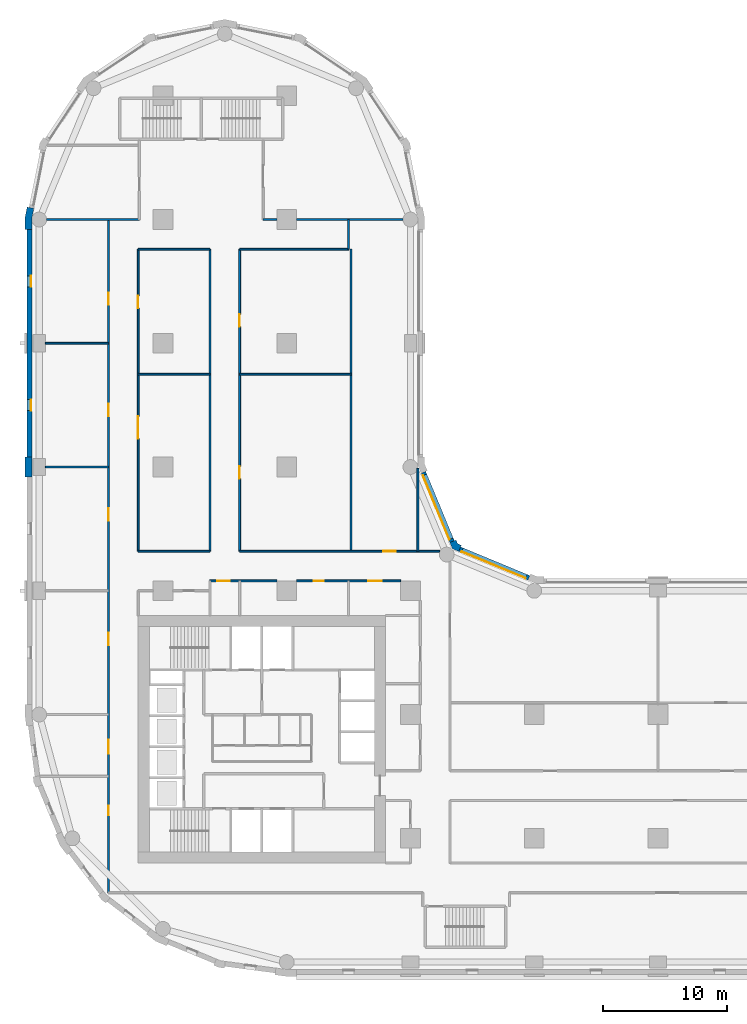
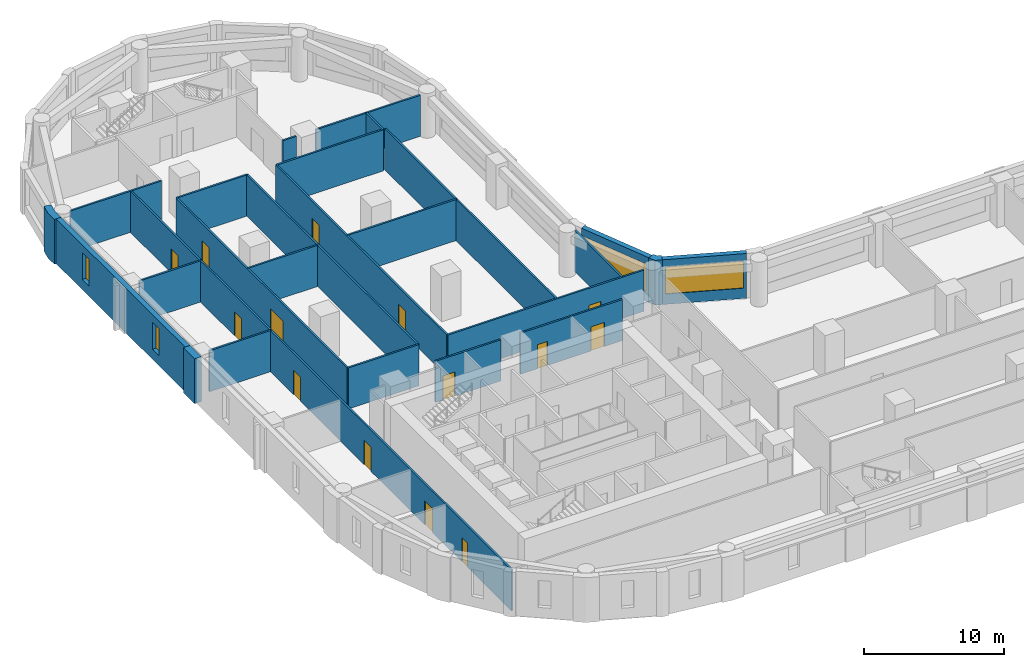
# One storey, part 5 of 10: 26 walls, 14 doors, 4 windows, 18 openings.
"""IFC4 building model written with IfcOpenShell, lengths in metres."""

from ifc_helpers import new_model, si_unit, direction, frame, frame_2d, origin, place, context, subcontext, project, spatial, polyline, rectangle, outline, extrude, material, layer, layer_set, type_object, element, fill, save


model = new_model("IFC4")

# Units and contexts
model_context = context("Model", 3, precision=1e-05, world=origin(), true_north=direction((0.0, 1.0)))
body_context = subcontext(model_context, "Body", "Model", "MODEL_VIEW")
ifc_project = project(units=[si_unit("LENGTHUNIT", "METRE"), si_unit("AREAUNIT", "SQUARE_METRE"), si_unit("VOLUMEUNIT", "CUBIC_METRE"), si_unit("PLANEANGLEUNIT", "RADIAN"), si_unit("MASSUNIT", "GRAM", prefix="KILO")], contexts=[model_context])

# Site, building, storey
site_placement = place(None, origin())
site = spatial("IfcSite", under=ifc_project, at=site_placement, CompositionType="ELEMENT")
building_placement = place(site_placement, origin())
building = spatial("IfcBuilding", under=site, at=building_placement, Name="Qaws Garden Tower", CompositionType="ELEMENT")
storey_placement = place(building_placement, frame((0.0, 0.0, 19.800048828125)))
storey = spatial("IfcBuildingStorey", under=building, at=storey_placement, Name="L04", CompositionType="ELEMENT", Elevation=19.800048828125)

# Wall, opening, window
ifc_material_1 = material(Name="Clay facing brick masonry", Category="masonry")
ifc_layer_1 = layer(ifc_material_1, 0.39990234375)
ifc_layer_set_1 = layer_set([ifc_layer_1], Name="Clay facing brick masonry")
wall_type_1 = type_object("IfcWallType", Name="Brick infill wall 400", PredefinedType="SOLIDWALL", material=ifc_layer_set_1)
wall_1_placement = place(storey_placement, frame((39.56689453125, 31.04541015625, 0.0), z_axis=(0.0, 0.0, 1.0), x_axis=(-0.923891000409, 0.382655745237, 0.0)))
wall_1 = element("IfcWall", 1, at=wall_1_placement, inside=storey, type_object=wall_type_1, Name="E-L04-infill-11", PredefinedType="SOLIDWALL", context=body_context, shape_type="SweptSolid", body=[
    extrude(rectangle(XDim=6.053466796875, YDim=0.39990234375, at=frame_2d((3.02685546875, 0.0))), origin(), (0.0, 0.0, 1.0), 3.89990234375),
])
opening_1_placement = place(wall_1_placement, frame((0.226806640625, 0.0, 0.89990234375)))
opening_1 = element("IfcOpeningElement", 2, at=opening_1_placement, cuts=wall_1, Name="Opening W04", PredefinedType="OPENING", context=body_context, shape_type="SweptSolid", body=[
    extrude(rectangle(XDim=5.60009765625, YDim=2.35009765625, at=frame_2d((2.800048828125, 1.175048828125))), frame((0.0, 0.2099609375, 0.0), z_axis=(0.0, -1.0, 0.0), x_axis=(1.0, 0.0, 0.0)), (0.0, 0.0, 1.0), 0.419921875),
])
ifc_material_2 = material(Name="Aluminium framed window, clear glazing", Category="aluminium")
window_type_1 = type_object("IfcWindowType", Name="Ribbon window 5600 x 2350", PartitioningType="DOUBLE_PANEL_VERTICAL", PredefinedType="WINDOW", material=ifc_material_2)
window_1_placement = place(opening_1_placement, origin())
window_1 = element("IfcWindow", 3, at=window_1_placement, inside=storey, type_object=window_type_1, Name="E-L04-window-11-0", OverallHeight=2.35009765625, OverallWidth=5.60009765625, PartitioningType="SINGLE_PANEL", PredefinedType="WINDOW", context=body_context, shape_type="SweptSolid", body=[
    extrude(rectangle(XDim=5.60009765625, YDim=2.35009765625, at=frame_2d((2.800048828125, 1.175048828125))), frame((0.0, 0.159912109375, 0.0), z_axis=(0.0, -1.0, 0.0), x_axis=(1.0, 0.0, 0.0)), (0.0, 0.0, 1.0), 0.06005859375),
])
fill(opening_1, window_1)

wall_2_placement = place(storey_placement, frame((33.36181640625, 33.97412109375, 0.0), z_axis=(0.0, 0.0, 1.0), x_axis=(-0.382655745237, 0.923891000409, 0.0)))
wall_2 = element("IfcWall", 4, at=wall_2_placement, inside=storey, type_object=wall_type_1, Name="E-L04-infill-12", PredefinedType="SOLIDWALL", context=body_context, shape_type="SweptSolid", body=[
    extrude(rectangle(XDim=6.053466796875, YDim=0.39990234375, at=frame_2d((3.02685546875, 0.0))), origin(), (0.0, 0.0, 1.0), 3.89990234375),
])
opening_2_placement = place(wall_2_placement, frame((0.226806640625, 0.0, 0.89990234375)))
opening_2 = element("IfcOpeningElement", 5, at=opening_2_placement, cuts=wall_2, Name="Opening W04", PredefinedType="OPENING", context=body_context, shape_type="SweptSolid", body=[
    extrude(rectangle(XDim=5.60009765625, YDim=2.35009765625, at=frame_2d((2.800048828125, 1.175048828125))), frame((0.0, 0.2099609375, 0.0), z_axis=(0.0, -1.0, 0.0), x_axis=(1.0, 0.0, 0.0)), (0.0, 0.0, 1.0), 0.419921875),
])
window_2_placement = place(opening_2_placement, origin())
window_2 = element("IfcWindow", 6, at=window_2_placement, inside=storey, type_object=window_type_1, Name="E-L04-window-12-0", OverallHeight=2.35009765625, OverallWidth=5.60009765625, PartitioningType="SINGLE_PANEL", PredefinedType="WINDOW", context=body_context, shape_type="SweptSolid", body=[
    extrude(rectangle(XDim=5.60009765625, YDim=2.35009765625, at=frame_2d((2.800048828125, 1.175048828125))), frame((0.0, 0.159912109375, 0.0), z_axis=(0.0, -1.0, 0.0), x_axis=(1.0, 0.0, 0.0)), (0.0, 0.0, 1.0), 0.06005859375),
])
fill(opening_2, window_2)

# Wall, openings, windows
wall_3_placement = place(storey_placement, frame((-0.800048828125, 59.199951171875, 0.0), z_axis=(0.0, 0.0, 1.0), x_axis=(0.0, -1.0, 0.0)))
wall_3 = element("IfcWall", 7, at=wall_3_placement, inside=storey, type_object=wall_type_1, Name="E-L04-infill-23", PredefinedType="SOLIDWALL", context=body_context, shape_type="SweptSolid", body=[
    extrude(rectangle(XDim=18.39990234375, YDim=0.39990234375, at=frame_2d((9.199951171875, 0.0))), origin(), (0.0, 0.0, 1.0), 3.89990234375),
])
opening_3_placement = place(wall_3_placement, frame((3.75, 0.0, 0.89990234375)))
opening_3 = element("IfcOpeningElement", 8, at=opening_3_placement, cuts=wall_3, Name="Opening W09", PredefinedType="OPENING", context=body_context, shape_type="SweptSolid", body=[
    extrude(rectangle(XDim=0.89990234375, YDim=2.35009765625, at=frame_2d((0.449951171875, 1.175048828125))), frame((0.0, 0.2099609375, 0.0), z_axis=(0.0, -1.0, 0.0), x_axis=(1.0, 0.0, 0.0)), (0.0, 0.0, 1.0), 0.419921875),
])
opening_4_placement = place(wall_3_placement, frame((13.75, 0.0, 0.89990234375)))
opening_4 = element("IfcOpeningElement", 9, at=opening_4_placement, cuts=wall_3, Name="Opening W09", PredefinedType="OPENING", context=body_context, shape_type="SweptSolid", body=[
    extrude(rectangle(XDim=0.89990234375, YDim=2.35009765625, at=frame_2d((0.449951171875, 1.175048828125))), frame((0.0, 0.2099609375, 0.0), z_axis=(0.0, -1.0, 0.0), x_axis=(1.0, 0.0, 0.0)), (0.0, 0.0, 1.0), 0.419921875),
])
ifc_material_3 = material(Name="Aluminium framed window, clear glazing", Category="aluminium")
window_type_2 = type_object("IfcWindowType", Name="Slit window 900 x 2350", PartitioningType="SINGLE_PANEL", PredefinedType="WINDOW", material=ifc_material_3)
window_3_placement = place(opening_3_placement, origin())
window_3 = element("IfcWindow", 10, at=window_3_placement, inside=storey, type_object=window_type_2, Name="E-L04-window-23-0", OverallHeight=2.35009765625, OverallWidth=0.89990234375, PartitioningType="SINGLE_PANEL", PredefinedType="WINDOW", context=body_context, shape_type="SweptSolid", body=[
    extrude(rectangle(XDim=0.89990234375, YDim=2.35009765625, at=frame_2d((0.449951171875, 1.175048828125))), frame((0.0, 0.159912109375, 0.0), z_axis=(0.0, -1.0, 0.0), x_axis=(1.0, 0.0, 0.0)), (0.0, 0.0, 1.0), 0.06005859375),
])
fill(opening_3, window_3)
window_4_placement = place(opening_4_placement, origin())
window_4 = element("IfcWindow", 11, at=window_4_placement, inside=storey, type_object=window_type_2, Name="E-L04-window-24-0", OverallHeight=2.35009765625, OverallWidth=0.89990234375, PartitioningType="SINGLE_PANEL", PredefinedType="WINDOW", context=body_context, shape_type="SweptSolid", body=[
    extrude(rectangle(XDim=0.89990234375, YDim=2.35009765625, at=frame_2d((0.449951171875, 1.175048828125))), frame((0.0, 0.159912109375, 0.0), z_axis=(0.0, -1.0, 0.0), x_axis=(1.0, 0.0, 0.0)), (0.0, 0.0, 1.0), 0.06005859375),
])
fill(opening_4, window_4)

# Walls
ifc_material_4 = material(Name="Clay facing brick masonry", Category="masonry")
ifc_layer_2 = layer(ifc_material_4, 0.550048828125)
ifc_layer_set_2 = layer_set([ifc_layer_2], Name="Clay facing brick masonry")
wall_type_2 = type_object("IfcWallType", Name="Brick pier 550 x 1600", PredefinedType="SOLIDWALL", material=ifc_layer_set_2)
placement = place(storey_placement, origin())
element("IfcWall", 12, at=placement, inside=storey, type_object=wall_type_2, Name="E-L04-pier-12", PredefinedType="SOLIDWALL", context=body_context, shape_type="SweptSolid", body=[
    extrude(outline(polyline([(34.05078125, 33.546630859375), (34.108154296875, 33.685302734375), (33.80908203125, 33.80908203125), (33.685302734375, 34.108154296875), (33.546630859375, 34.05078125), (33.177001953125, 33.897705078125), (33.38818359375, 33.38818359375), (33.897705078125, 33.177001953125), (34.05078125, 33.546630859375)])), origin(), (0.0, 0.0, 1.0), 3.89990234375),
])
element("IfcWall", 13, at=placement, inside=storey, type_object=wall_type_2, Name="E-L04-pier-23", PredefinedType="SOLIDWALL", context=body_context, shape_type="SweptSolid", body=[
    extrude(outline(polyline([(-0.82470703125, 60.979736328125), (-0.971923828125, 61.009033203125), (-1.14990234375, 60.11328125), (-1.14990234375, 59.199951171875), (-1.0, 59.199951171875), (-0.60009765625, 59.199951171875), (-0.60009765625, 60.05908203125), (-0.432373046875, 60.901611328125), (-0.82470703125, 60.979736328125)])), origin(), (0.0, 0.0, 1.0), 3.89990234375),
])
element("IfcWall", 14, at=placement, inside=storey, type_object=wall_type_2, Name="E-L04-pier-25", PredefinedType="SOLIDWALL", context=body_context, shape_type="SweptSolid", body=[
    extrude(outline(polyline([(-1.0, 40.800048828125), (-1.14990234375, 40.800048828125), (-1.14990234375, 40.0), (-1.14990234375, 39.199951171875), (-1.0, 39.199951171875), (-0.60009765625, 39.199951171875), (-0.60009765625, 40.0), (-0.60009765625, 40.800048828125), (-1.0, 40.800048828125)])), origin(), (0.0, 0.0, 1.0), 3.89990234375),
])

# Wall, openings, doors
ifc_material_5 = material(Name="Gypsum board partition")
ifc_layer_3 = layer(ifc_material_5, 0.14990234375)
ifc_layer_set_3 = layer_set([ifc_layer_3], Name="Gypsum board partition")
wall_type_3 = type_object("IfcWallType", Name="PARTITION 150 EI 60", PredefinedType="PARTITIONING", material=ifc_layer_set_3)
wall_7_placement = place(storey_placement, frame((5.60009765625, 5.60009765625, 0.0), z_axis=(0.0, 0.0, 1.0), x_axis=(0.0, 1.0, 0.0)))
wall_7 = element("IfcWall", 15, at=wall_7_placement, inside=storey, type_object=wall_type_3, Name="O-L04-wall-002", PredefinedType="PARTITIONING", context=body_context, shape_type="SweptSolid", body=[
    extrude(rectangle(XDim=54.39990234375, YDim=0.14990234375, at=frame_2d((27.199951171875, 0.0))), origin(), (0.0, 0.0, 1.0), 3.579833984375),
])
opening_5_placement = place(wall_7_placement, frame((6.25, 0.0, 0.0)))
opening_5 = element("IfcOpeningElement", 16, at=opening_5_placement, cuts=wall_7, Name="Opening A101", PredefinedType="OPENING", context=body_context, shape_type="SweptSolid", body=[
    extrude(rectangle(XDim=0.800048828125, YDim=2.10009765625, at=frame_2d((0.39990234375, 1.050048828125))), frame((0.0, 0.0849609375, 0.0), z_axis=(0.0, -1.0, 0.0), x_axis=(1.0, 0.0, 0.0)), (0.0, 0.0, 1.0), 0.169921875),
])
opening_6_placement = place(wall_7_placement, frame((11.25, 0.0, 0.0)))
opening_6 = element("IfcOpeningElement", 17, at=opening_6_placement, cuts=wall_7, Name="Opening A102", PredefinedType="OPENING", context=body_context, shape_type="SweptSolid", body=[
    extrude(rectangle(XDim=1.10009765625, YDim=2.10009765625, at=frame_2d((0.550048828125, 1.050048828125))), frame((0.0, 0.0849609375, 0.0), z_axis=(0.0, -1.0, 0.0), x_axis=(1.0, 0.0, 0.0)), (0.0, 0.0, 1.0), 0.169921875),
])
opening_7_placement = place(wall_7_placement, frame((20.0, 0.0, 0.0)))
opening_7 = element("IfcOpeningElement", 18, at=opening_7_placement, cuts=wall_7, Name="Opening A112", PredefinedType="OPENING", context=body_context, shape_type="SweptSolid", body=[
    extrude(rectangle(XDim=1.0, YDim=2.10009765625, at=frame_2d((0.5, 1.050048828125))), frame((0.0, 0.0849609375, 0.0), z_axis=(0.0, -1.0, 0.0), x_axis=(1.0, 0.0, 0.0)), (0.0, 0.0, 1.0), 0.169921875),
])
opening_8_placement = place(wall_7_placement, frame((30.050048828125, 0.0, 0.0)))
opening_8 = element("IfcOpeningElement", 19, at=opening_8_placement, cuts=wall_7, Name="Opening A119", PredefinedType="OPENING", context=body_context, shape_type="SweptSolid", body=[
    extrude(rectangle(XDim=1.0, YDim=2.10009765625, at=frame_2d((0.5, 1.050048828125))), frame((0.0, 0.0849609375, 0.0), z_axis=(0.0, -1.0, 0.0), x_axis=(1.0, 0.0, 0.0)), (0.0, 0.0, 1.0), 0.169921875),
])
opening_9_placement = place(wall_7_placement, frame((38.5, 0.0, 0.0)))
opening_9 = element("IfcOpeningElement", 20, at=opening_9_placement, cuts=wall_7, Name="Opening A120", PredefinedType="OPENING", context=body_context, shape_type="SweptSolid", body=[
    extrude(rectangle(XDim=1.0, YDim=2.10009765625, at=frame_2d((0.5, 1.050048828125))), frame((0.0, 0.0849609375, 0.0), z_axis=(0.0, -1.0, 0.0), x_axis=(1.0, 0.0, 0.0)), (0.0, 0.0, 1.0), 0.169921875),
])
opening_10_placement = place(wall_7_placement, frame((47.5, 0.0, 0.0)))
opening_10 = element("IfcOpeningElement", 21, at=opening_10_placement, cuts=wall_7, Name="Opening A121", PredefinedType="OPENING", context=body_context, shape_type="SweptSolid", body=[
    extrude(rectangle(XDim=1.0, YDim=2.10009765625, at=frame_2d((0.5, 1.050048828125))), frame((0.0, 0.0849609375, 0.0), z_axis=(0.0, -1.0, 0.0), x_axis=(1.0, 0.0, 0.0)), (0.0, 0.0, 1.0), 0.169921875),
])
ifc_material_6 = material(Name="Timber door leaf", Category="wood")
door_type_1 = type_object("IfcDoorType", Name="SERVICE ROOM DOOR 1100 X 2100", OperationType="SINGLE_SWING_LEFT", PredefinedType="DOOR", material=ifc_material_6)
door_1_placement = place(opening_6_placement, origin())
door_1 = element("IfcDoor", 22, at=door_1_placement, inside=storey, type_object=door_type_1, Name="O-L04-door-002", OperationType="SINGLE_SWING_RIGHT", OverallHeight=2.10009765625, OverallWidth=1.10009765625, PredefinedType="DOOR", context=body_context, shape_type="SweptSolid", body=[
    extrude(rectangle(XDim=1.10009765625, YDim=2.10009765625, at=frame_2d((0.550048828125, 1.050048828125))), frame((0.0, 0.02490234375, 0.0), z_axis=(0.0, -1.0, 0.0), x_axis=(1.0, 0.0, 0.0)), (0.0, 0.0, 1.0), 0.050048828125),
])
fill(opening_6, door_1)
ifc_material_7 = material(Name="Timber door leaf", Category="wood")
door_type_2 = type_object("IfcDoorType", Name="STORE DOOR 800 X 2100", OperationType="SINGLE_SWING_LEFT", PredefinedType="DOOR", material=ifc_material_7)
door_2_placement = place(opening_5_placement, origin())
door_2 = element("IfcDoor", 23, at=door_2_placement, inside=storey, type_object=door_type_2, Name="O-L04-door-001", OperationType="SINGLE_SWING_RIGHT", OverallHeight=2.10009765625, OverallWidth=0.800048828125, PredefinedType="DOOR", context=body_context, shape_type="SweptSolid", body=[
    extrude(rectangle(XDim=0.800048828125, YDim=2.10009765625, at=frame_2d((0.39990234375, 1.050048828125))), frame((0.0, 0.02490234375, 0.0), z_axis=(0.0, -1.0, 0.0), x_axis=(1.0, 0.0, 0.0)), (0.0, 0.0, 1.0), 0.050048828125),
])
fill(opening_5, door_2)
ifc_material_8 = material(Name="Timber door leaf", Category="wood")
door_type_3 = type_object("IfcDoorType", Name="TENANCY ENTRANCE DOOR 1000 X 2100", OperationType="SINGLE_SWING_LEFT", PredefinedType="DOOR", material=ifc_material_8)
door_3_placement = place(opening_7_placement, origin())
door_3 = element("IfcDoor", 24, at=door_3_placement, inside=storey, type_object=door_type_3, Name="O-L04-door-012", OperationType="SINGLE_SWING_RIGHT", OverallHeight=2.10009765625, OverallWidth=1.0, PredefinedType="DOOR", context=body_context, shape_type="SweptSolid", body=[
    extrude(rectangle(XDim=1.0, YDim=2.10009765625, at=frame_2d((0.5, 1.050048828125))), frame((0.0, 0.02490234375, 0.0), z_axis=(0.0, -1.0, 0.0), x_axis=(1.0, 0.0, 0.0)), (0.0, 0.0, 1.0), 0.050048828125),
])
fill(opening_7, door_3)
door_4_placement = place(opening_8_placement, origin())
door_4 = element("IfcDoor", 25, at=door_4_placement, inside=storey, type_object=door_type_3, Name="O-L04-door-019", OperationType="SINGLE_SWING_LEFT", OverallHeight=2.10009765625, OverallWidth=1.0, PredefinedType="DOOR", context=body_context, shape_type="SweptSolid", body=[
    extrude(rectangle(XDim=1.0, YDim=2.10009765625, at=frame_2d((0.5, 1.050048828125))), frame((0.0, 0.02490234375, 0.0), z_axis=(0.0, -1.0, 0.0), x_axis=(1.0, 0.0, 0.0)), (0.0, 0.0, 1.0), 0.050048828125),
])
fill(opening_8, door_4)
door_5_placement = place(opening_9_placement, origin())
door_5 = element("IfcDoor", 26, at=door_5_placement, inside=storey, type_object=door_type_3, Name="O-L04-door-020", OperationType="SINGLE_SWING_LEFT", OverallHeight=2.10009765625, OverallWidth=1.0, PredefinedType="DOOR", context=body_context, shape_type="SweptSolid", body=[
    extrude(rectangle(XDim=1.0, YDim=2.10009765625, at=frame_2d((0.5, 1.050048828125))), frame((0.0, 0.02490234375, 0.0), z_axis=(0.0, -1.0, 0.0), x_axis=(1.0, 0.0, 0.0)), (0.0, 0.0, 1.0), 0.050048828125),
])
fill(opening_9, door_5)
door_6_placement = place(opening_10_placement, origin())
door_6 = element("IfcDoor", 27, at=door_6_placement, inside=storey, type_object=door_type_3, Name="O-L04-door-021", OperationType="SINGLE_SWING_LEFT", OverallHeight=2.10009765625, OverallWidth=1.0, PredefinedType="DOOR", context=body_context, shape_type="SweptSolid", body=[
    extrude(rectangle(XDim=1.0, YDim=2.10009765625, at=frame_2d((0.5, 1.050048828125))), frame((0.0, 0.02490234375, 0.0), z_axis=(0.0, -1.0, 0.0), x_axis=(1.0, 0.0, 0.0)), (0.0, 0.0, 1.0), 0.050048828125),
])
fill(opening_10, door_6)

wall_8_placement = place(storey_placement, frame((8.0, 33.199951171875, 0.0), z_axis=(0.0, 0.0, 1.0), x_axis=(0.0, 1.0, 0.0)))
wall_8 = element("IfcWall", 28, at=wall_8_placement, inside=storey, type_object=wall_type_3, Name="O-L04-wall-004", PredefinedType="PARTITIONING", context=body_context, shape_type="SweptSolid", body=[
    extrude(rectangle(XDim=24.400146484375, YDim=0.14990234375, at=frame_2d((12.2001953125, 0.0))), origin(), (0.0, 0.0, 1.0), 3.579833984375),
])
opening_11_placement = place(wall_8_placement, frame((9.10009765625, 0.0, 0.0)))
opening_11 = element("IfcOpeningElement", 29, at=opening_11_placement, cuts=wall_8, Name="Opening A110", PredefinedType="OPENING", context=body_context, shape_type="SweptSolid", body=[
    extrude(rectangle(XDim=1.800048828125, YDim=2.10009765625, at=frame_2d((0.89990234375, 1.050048828125))), frame((0.0, 0.0849609375, 0.0), z_axis=(0.0, -1.0, 0.0), x_axis=(1.0, 0.0, 0.0)), (0.0, 0.0, 1.0), 0.169921875),
])
opening_12_placement = place(wall_8_placement, frame((19.64990234375, 0.0, 0.0)))
opening_12 = element("IfcOpeningElement", 30, at=opening_12_placement, cuts=wall_8, Name="Opening A111", PredefinedType="OPENING", context=body_context, shape_type="SweptSolid", body=[
    extrude(rectangle(XDim=1.0, YDim=2.10009765625, at=frame_2d((0.5, 1.050048828125))), frame((0.0, 0.0849609375, 0.0), z_axis=(0.0, -1.0, 0.0), x_axis=(1.0, 0.0, 0.0)), (0.0, 0.0, 1.0), 0.169921875),
])
ifc_material_9 = material(Name="Timber door leaf", Category="wood")
door_type_4 = type_object("IfcDoorType", Name="DOUBLE DOOR 1800 X 2100", OperationType="DOUBLE_DOOR_SINGLE_SWING", PredefinedType="DOOR", material=ifc_material_9)
door_7_placement = place(opening_11_placement, frame((1.800048828125, 0.0, 0.0), z_axis=(0.0, 0.0, 1.0), x_axis=(-1.0, 0.0, 0.0)))
door_7 = element("IfcDoor", 31, at=door_7_placement, inside=storey, type_object=door_type_4, Name="O-L04-door-010", OperationType="DOUBLE_DOOR_SINGLE_SWING", OverallHeight=2.10009765625, OverallWidth=1.800048828125, PredefinedType="DOOR", context=body_context, shape_type="SweptSolid", body=[
    extrude(rectangle(XDim=1.800048828125, YDim=2.10009765625, at=frame_2d((0.89990234375, 1.050048828125))), frame((0.0, 0.02490234375, 0.0), z_axis=(0.0, -1.0, 0.0), x_axis=(1.0, 0.0, 0.0)), (0.0, 0.0, 1.0), 0.050048828125),
])
fill(opening_11, door_7)
door_8_placement = place(opening_12_placement, frame((1.0, 0.0, 0.0), z_axis=(0.0, 0.0, 1.0), x_axis=(-1.0, 0.0, 0.0)))
door_8 = element("IfcDoor", 32, at=door_8_placement, inside=storey, type_object=door_type_3, Name="O-L04-door-011", OperationType="SINGLE_SWING_RIGHT", OverallHeight=2.10009765625, OverallWidth=1.0, PredefinedType="DOOR", context=body_context, shape_type="SweptSolid", body=[
    extrude(rectangle(XDim=1.0, YDim=2.10009765625, at=frame_2d((0.5, 1.050048828125))), frame((0.0, 0.02490234375, 0.0), z_axis=(0.0, -1.0, 0.0), x_axis=(1.0, 0.0, 0.0)), (0.0, 0.0, 1.0), 0.050048828125),
])
fill(opening_12, door_8)

# Wall
wall_9_placement = place(storey_placement, frame((13.800048828125, 33.199951171875, 0.0), z_axis=(0.0, 0.0, 1.0), x_axis=(0.0, 1.0, 0.0)))
element("IfcWall", 33, at=wall_9_placement, inside=storey, type_object=wall_type_3, Name="O-L04-wall-007", PredefinedType="PARTITIONING", context=body_context, shape_type="SweptSolid", body=[
    extrude(rectangle(XDim=24.400146484375, YDim=0.14990234375, at=frame_2d((12.2001953125, 0.0))), origin(), (0.0, 0.0, 1.0), 3.579833984375),
])

# Wall, openings, doors
wall_10_placement = place(storey_placement, frame((16.199951171875, 33.199951171875, 0.0), z_axis=(0.0, 0.0, 1.0), x_axis=(0.0, 1.0, 0.0)))
wall_10 = element("IfcWall", 34, at=wall_10_placement, inside=storey, type_object=wall_type_3, Name="O-L04-wall-009", PredefinedType="PARTITIONING", context=body_context, shape_type="SweptSolid", body=[
    extrude(rectangle(XDim=24.400146484375, YDim=0.14990234375, at=frame_2d((12.2001953125, 0.0))), origin(), (0.0, 0.0, 1.0), 3.579833984375),
])
opening_13_placement = place(wall_10_placement, frame((5.85009765625, 0.0, 0.0)))
opening_13 = element("IfcOpeningElement", 35, at=opening_13_placement, cuts=wall_10, Name="Opening A113", PredefinedType="OPENING", context=body_context, shape_type="SweptSolid", body=[
    extrude(rectangle(XDim=1.0, YDim=2.10009765625, at=frame_2d((0.5, 1.050048828125))), frame((0.0, 0.0849609375, 0.0), z_axis=(0.0, -1.0, 0.0), x_axis=(1.0, 0.0, 0.0)), (0.0, 0.0, 1.0), 0.169921875),
])
opening_14_placement = place(wall_10_placement, frame((18.14990234375, 0.0, 0.0)))
opening_14 = element("IfcOpeningElement", 36, at=opening_14_placement, cuts=wall_10, Name="Opening A114", PredefinedType="OPENING", context=body_context, shape_type="SweptSolid", body=[
    extrude(rectangle(XDim=1.0, YDim=2.10009765625, at=frame_2d((0.5, 1.050048828125))), frame((0.0, 0.0849609375, 0.0), z_axis=(0.0, -1.0, 0.0), x_axis=(1.0, 0.0, 0.0)), (0.0, 0.0, 1.0), 0.169921875),
])
door_9_placement = place(opening_13_placement, frame((1.0, 0.0, 0.0), z_axis=(0.0, 0.0, 1.0), x_axis=(-1.0, 0.0, 0.0)))
door_9 = element("IfcDoor", 37, at=door_9_placement, inside=storey, type_object=door_type_3, Name="O-L04-door-013", OperationType="SINGLE_SWING_RIGHT", OverallHeight=2.10009765625, OverallWidth=1.0, PredefinedType="DOOR", context=body_context, shape_type="SweptSolid", body=[
    extrude(rectangle(XDim=1.0, YDim=2.10009765625, at=frame_2d((0.5, 1.050048828125))), frame((0.0, 0.02490234375, 0.0), z_axis=(0.0, -1.0, 0.0), x_axis=(1.0, 0.0, 0.0)), (0.0, 0.0, 1.0), 0.050048828125),
])
fill(opening_13, door_9)
door_10_placement = place(opening_14_placement, frame((1.0, 0.0, 0.0), z_axis=(0.0, 0.0, 1.0), x_axis=(-1.0, 0.0, 0.0)))
door_10 = element("IfcDoor", 38, at=door_10_placement, inside=storey, type_object=door_type_3, Name="O-L04-door-014", OperationType="SINGLE_SWING_RIGHT", OverallHeight=2.10009765625, OverallWidth=1.0, PredefinedType="DOOR", context=body_context, shape_type="SweptSolid", body=[
    extrude(rectangle(XDim=1.0, YDim=2.10009765625, at=frame_2d((0.5, 1.050048828125))), frame((0.0, 0.02490234375, 0.0), z_axis=(0.0, -1.0, 0.0), x_axis=(1.0, 0.0, 0.0)), (0.0, 0.0, 1.0), 0.050048828125),
])
fill(opening_14, door_10)

# Walls
wall_11_placement = place(storey_placement, frame((25.0, 57.60009765625, 0.0), z_axis=(0.0, 0.0, 1.0), x_axis=(0.0, 1.0, 0.0)))
element("IfcWall", 39, at=wall_11_placement, inside=storey, type_object=wall_type_3, Name="O-L04-wall-012", PredefinedType="PARTITIONING", context=body_context, shape_type="SweptSolid", body=[
    extrude(rectangle(XDim=2.39990234375, YDim=0.14990234375, at=frame_2d((1.199951171875, 0.0))), origin(), (0.0, 0.0, 1.0), 3.579833984375),
])
wall_12_placement = place(storey_placement, frame((25.199951171875, 33.199951171875, 0.0), z_axis=(0.0, 0.0, 1.0), x_axis=(0.0, 1.0, 0.0)))
element("IfcWall", 40, at=wall_12_placement, inside=storey, type_object=wall_type_3, Name="O-L04-wall-013", PredefinedType="PARTITIONING", context=body_context, shape_type="SweptSolid", body=[
    extrude(rectangle(XDim=24.400146484375, YDim=0.14990234375, at=frame_2d((12.2001953125, 0.0))), origin(), (0.0, 0.0, 1.0), 3.579833984375),
])
wall_13_placement = place(storey_placement, frame((30.60009765625, 33.199951171875, 0.0), z_axis=(0.0, 0.0, 1.0), x_axis=(0.0, 1.0, 0.0)))
element("IfcWall", 41, at=wall_13_placement, inside=storey, type_object=wall_type_3, Name="O-L04-wall-016", PredefinedType="PARTITIONING", context=body_context, shape_type="SweptSolid", body=[
    extrude(rectangle(XDim=6.698974609375, YDim=0.14990234375, at=frame_2d((3.349609375, 0.0))), origin(), (0.0, 0.0, 1.0), 3.579833984375),
])

# Wall, opening, door
wall_14_placement = place(storey_placement, frame((13.800048828125, 30.800048828125, 0.0), z_axis=(0.0, 0.0, 1.0), x_axis=(1.0, 0.0, 0.0)))
wall_14 = element("IfcWall", 42, at=wall_14_placement, inside=storey, type_object=wall_type_3, Name="O-L04-wall-045", PredefinedType="PARTITIONING", context=body_context, shape_type="SweptSolid", body=[
    extrude(rectangle(XDim=5.39990234375, YDim=0.14990234375, at=frame_2d((2.699951171875, 0.0))), origin(), (0.0, 0.0, 1.0), 3.579833984375),
])
opening_15_placement = place(wall_14_placement, frame((0.60009765625, 0.0, 0.0)))
opening_15 = element("IfcOpeningElement", 43, at=opening_15_placement, cuts=wall_14, Name="Opening A118", PredefinedType="OPENING", context=body_context, shape_type="SweptSolid", body=[
    extrude(rectangle(XDim=1.0, YDim=2.10009765625, at=frame_2d((0.5, 1.050048828125))), frame((0.0, 0.0849609375, 0.0), z_axis=(0.0, -1.0, 0.0), x_axis=(1.0, 0.0, 0.0)), (0.0, 0.0, 1.0), 0.169921875),
])
door_11_placement = place(opening_15_placement, frame((1.0, 0.0, 0.0), z_axis=(0.0, 0.0, 1.0), x_axis=(-1.0, 0.0, 0.0)))
door_11 = element("IfcDoor", 44, at=door_11_placement, inside=storey, type_object=door_type_3, Name="O-L04-door-018", OperationType="SINGLE_SWING_RIGHT", OverallHeight=2.10009765625, OverallWidth=1.0, PredefinedType="DOOR", context=body_context, shape_type="SweptSolid", body=[
    extrude(rectangle(XDim=1.0, YDim=2.10009765625, at=frame_2d((0.5, 1.050048828125))), frame((0.0, 0.02490234375, 0.0), z_axis=(0.0, -1.0, 0.0), x_axis=(1.0, 0.0, 0.0)), (0.0, 0.0, 1.0), 0.050048828125),
])
fill(opening_15, door_11)

# Wall, openings, doors
wall_15_placement = place(storey_placement, frame((20.800048828125, 30.800048828125, 0.0), z_axis=(0.0, 0.0, 1.0), x_axis=(1.0, 0.0, 0.0)))
wall_15 = element("IfcWall", 45, at=wall_15_placement, inside=storey, type_object=wall_type_3, Name="O-L04-wall-046", PredefinedType="PARTITIONING", context=body_context, shape_type="SweptSolid", body=[
    extrude(rectangle(XDim=8.39990234375, YDim=0.14990234375, at=frame_2d((4.199951171875, 0.0))), origin(), (0.0, 0.0, 1.0), 3.579833984375),
])
opening_16_placement = place(wall_15_placement, frame((1.39990234375, 0.0, 0.0)))
opening_16 = element("IfcOpeningElement", 46, at=opening_16_placement, cuts=wall_15, Name="Opening A108", PredefinedType="OPENING", context=body_context, shape_type="SweptSolid", body=[
    extrude(rectangle(XDim=0.800048828125, YDim=2.10009765625, at=frame_2d((0.39990234375, 1.050048828125))), frame((0.0, 0.0849609375, 0.0), z_axis=(0.0, -1.0, 0.0), x_axis=(1.0, 0.0, 0.0)), (0.0, 0.0, 1.0), 0.169921875),
])
opening_17_placement = place(wall_15_placement, frame((5.800048828125, 0.0, 0.0)))
opening_17 = element("IfcOpeningElement", 47, at=opening_17_placement, cuts=wall_15, Name="Opening A109", PredefinedType="OPENING", context=body_context, shape_type="SweptSolid", body=[
    extrude(rectangle(XDim=1.10009765625, YDim=2.10009765625, at=frame_2d((0.550048828125, 1.050048828125))), frame((0.0, 0.0849609375, 0.0), z_axis=(0.0, -1.0, 0.0), x_axis=(1.0, 0.0, 0.0)), (0.0, 0.0, 1.0), 0.169921875),
])
door_12_placement = place(opening_17_placement, frame((1.10009765625, 0.0, 0.0), z_axis=(0.0, 0.0, 1.0), x_axis=(-1.0, 0.0, 0.0)))
door_12 = element("IfcDoor", 48, at=door_12_placement, inside=storey, type_object=door_type_1, Name="O-L04-door-009", OperationType="SINGLE_SWING_LEFT", OverallHeight=2.10009765625, OverallWidth=1.10009765625, PredefinedType="DOOR", context=body_context, shape_type="SweptSolid", body=[
    extrude(rectangle(XDim=1.10009765625, YDim=2.10009765625, at=frame_2d((0.550048828125, 1.050048828125))), frame((0.0, 0.02490234375, 0.0), z_axis=(0.0, -1.0, 0.0), x_axis=(1.0, 0.0, 0.0)), (0.0, 0.0, 1.0), 0.050048828125),
])
fill(opening_17, door_12)
door_13_placement = place(opening_16_placement, frame((0.800048828125, 0.0, 0.0), z_axis=(0.0, 0.0, 1.0), x_axis=(-1.0, 0.0, 0.0)))
door_13 = element("IfcDoor", 49, at=door_13_placement, inside=storey, type_object=door_type_2, Name="O-L04-door-008", OperationType="SINGLE_SWING_RIGHT", OverallHeight=2.10009765625, OverallWidth=0.800048828125, PredefinedType="DOOR", context=body_context, shape_type="SweptSolid", body=[
    extrude(rectangle(XDim=0.800048828125, YDim=2.10009765625, at=frame_2d((0.39990234375, 1.050048828125))), frame((0.0, 0.02490234375, 0.0), z_axis=(0.0, -1.0, 0.0), x_axis=(1.0, 0.0, 0.0)), (0.0, 0.0, 1.0), 0.050048828125),
])
fill(opening_16, door_13)

# Wall
wall_16_placement = place(storey_placement, frame((8.0, 33.199951171875, 0.0), z_axis=(0.0, 0.0, 1.0), x_axis=(1.0, 0.0, 0.0)))
element("IfcWall", 50, at=wall_16_placement, inside=storey, type_object=wall_type_3, Name="O-L04-wall-047", PredefinedType="PARTITIONING", context=body_context, shape_type="SweptSolid", body=[
    extrude(rectangle(XDim=5.800048828125, YDim=0.14990234375, at=frame_2d((2.89990234375, 0.0))), origin(), (0.0, 0.0, 1.0), 3.579833984375),
])

# Wall, opening, door
wall_17_placement = place(storey_placement, frame((16.199951171875, 33.199951171875, 0.0), z_axis=(0.0, 0.0, 1.0), x_axis=(1.0, 0.0, 0.0)))
wall_17 = element("IfcWall", 51, at=wall_17_placement, inside=storey, type_object=wall_type_3, Name="O-L04-wall-048", PredefinedType="PARTITIONING", context=body_context, shape_type="SweptSolid", body=[
    extrude(rectangle(XDim=16.162109375, YDim=0.14990234375, at=frame_2d((8.0810546875, 0.0))), origin(), (0.0, 0.0, 1.0), 3.579833984375),
])
opening_18_placement = place(wall_17_placement, frame((11.60009765625, 0.0, 0.0)))
opening_18 = element("IfcOpeningElement", 52, at=opening_18_placement, cuts=wall_17, Name="Opening A115", PredefinedType="OPENING", context=body_context, shape_type="SweptSolid", body=[
    extrude(rectangle(XDim=1.0, YDim=2.10009765625, at=frame_2d((0.5, 1.050048828125))), frame((0.0, 0.0849609375, 0.0), z_axis=(0.0, -1.0, 0.0), x_axis=(1.0, 0.0, 0.0)), (0.0, 0.0, 1.0), 0.169921875),
])
door_14_placement = place(opening_18_placement, origin())
door_14 = element("IfcDoor", 53, at=door_14_placement, inside=storey, type_object=door_type_3, Name="O-L04-door-015", OperationType="SINGLE_SWING_RIGHT", OverallHeight=2.10009765625, OverallWidth=1.0, PredefinedType="DOOR", context=body_context, shape_type="SweptSolid", body=[
    extrude(rectangle(XDim=1.0, YDim=2.10009765625, at=frame_2d((0.5, 1.050048828125))), frame((0.0, 0.02490234375, 0.0), z_axis=(0.0, -1.0, 0.0), x_axis=(1.0, 0.0, 0.0)), (0.0, 0.0, 1.0), 0.050048828125),
])
fill(opening_18, door_14)

# Walls
wall_18_placement = place(storey_placement, frame((0.5, 40.0, 0.0), z_axis=(0.0, 0.0, 1.0), x_axis=(1.0, 0.0, 0.0)))
element("IfcWall", 54, at=wall_18_placement, inside=storey, type_object=wall_type_3, Name="O-L04-wall-049", PredefinedType="PARTITIONING", context=body_context, shape_type="SweptSolid", body=[
    extrude(rectangle(XDim=5.10009765625, YDim=0.14990234375, at=frame_2d((2.550048828125, 0.0))), origin(), (0.0, 0.0, 1.0), 3.579833984375),
])
wall_19_placement = place(storey_placement, frame((8.0, 47.5, 0.0), z_axis=(0.0, 0.0, 1.0), x_axis=(1.0, 0.0, 0.0)))
element("IfcWall", 55, at=wall_19_placement, inside=storey, type_object=wall_type_3, Name="O-L04-wall-050", PredefinedType="PARTITIONING", context=body_context, shape_type="SweptSolid", body=[
    extrude(rectangle(XDim=5.800048828125, YDim=0.14990234375, at=frame_2d((2.89990234375, 0.0))), origin(), (0.0, 0.0, 1.0), 3.579833984375),
])
wall_20_placement = place(storey_placement, frame((16.199951171875, 47.5, 0.0), z_axis=(0.0, 0.0, 1.0), x_axis=(1.0, 0.0, 0.0)))
element("IfcWall", 56, at=wall_20_placement, inside=storey, type_object=wall_type_3, Name="O-L04-wall-051", PredefinedType="PARTITIONING", context=body_context, shape_type="SweptSolid", body=[
    extrude(rectangle(XDim=9.0, YDim=0.14990234375, at=frame_2d((4.5, 0.0))), origin(), (0.0, 0.0, 1.0), 3.579833984375),
])
wall_21_placement = place(storey_placement, frame((0.5, 50.0, 0.0), z_axis=(0.0, 0.0, 1.0), x_axis=(1.0, 0.0, 0.0)))
element("IfcWall", 57, at=wall_21_placement, inside=storey, type_object=wall_type_3, Name="O-L04-wall-052", PredefinedType="PARTITIONING", context=body_context, shape_type="SweptSolid", body=[
    extrude(rectangle(XDim=5.10009765625, YDim=0.14990234375, at=frame_2d((2.550048828125, 0.0))), origin(), (0.0, 0.0, 1.0), 3.579833984375),
])
wall_22_placement = place(storey_placement, frame((8.0, 57.60009765625, 0.0), z_axis=(0.0, 0.0, 1.0), x_axis=(1.0, 0.0, 0.0)))
element("IfcWall", 58, at=wall_22_placement, inside=storey, type_object=wall_type_3, Name="O-L04-wall-053", PredefinedType="PARTITIONING", context=body_context, shape_type="SweptSolid", body=[
    extrude(rectangle(XDim=5.800048828125, YDim=0.14990234375, at=frame_2d((2.89990234375, 0.0))), origin(), (0.0, 0.0, 1.0), 3.579833984375),
])
wall_23_placement = place(storey_placement, frame((16.199951171875, 57.60009765625, 0.0), z_axis=(0.0, 0.0, 1.0), x_axis=(1.0, 0.0, 0.0)))
element("IfcWall", 59, at=wall_23_placement, inside=storey, type_object=wall_type_3, Name="O-L04-wall-054", PredefinedType="PARTITIONING", context=body_context, shape_type="SweptSolid", body=[
    extrude(rectangle(XDim=8.800048828125, YDim=0.14990234375, at=frame_2d((4.39990234375, 0.0))), origin(), (0.0, 0.0, 1.0), 3.579833984375),
])
wall_24_placement = place(storey_placement, frame((0.60009765625, 60.0, 0.0), z_axis=(0.0, 0.0, 1.0), x_axis=(1.0, 0.0, 0.0)))
element("IfcWall", 60, at=wall_24_placement, inside=storey, type_object=wall_type_3, Name="O-L04-wall-055", PredefinedType="PARTITIONING", context=body_context, shape_type="SweptSolid", body=[
    extrude(rectangle(XDim=7.5, YDim=0.14990234375, at=frame_2d((3.75, 0.0))), origin(), (0.0, 0.0, 1.0), 3.579833984375),
])
wall_25_placement = place(storey_placement, frame((18.10009765625, 60.0, 0.0), z_axis=(0.0, 0.0, 1.0), x_axis=(1.0, 0.0, 0.0)))
element("IfcWall", 61, at=wall_25_placement, inside=storey, type_object=wall_type_3, Name="O-L04-wall-056", PredefinedType="PARTITIONING", context=body_context, shape_type="SweptSolid", body=[
    extrude(rectangle(XDim=1.099853515625, YDim=0.14990234375, at=frame_2d((0.5498046875, 0.0))), origin(), (0.0, 0.0, 1.0), 3.579833984375),
])
wall_26_placement = place(storey_placement, frame((20.800048828125, 60.0, 0.0), z_axis=(0.0, 0.0, 1.0), x_axis=(1.0, 0.0, 0.0)))
element("IfcWall", 62, at=wall_26_placement, inside=storey, type_object=wall_type_3, Name="O-L04-wall-057", PredefinedType="PARTITIONING", context=body_context, shape_type="SweptSolid", body=[
    extrude(rectangle(XDim=8.599853515625, YDim=0.14990234375, at=frame_2d((4.2998046875, 0.0))), origin(), (0.0, 0.0, 1.0), 3.579833984375),
])

save(model, "model.ifc")
